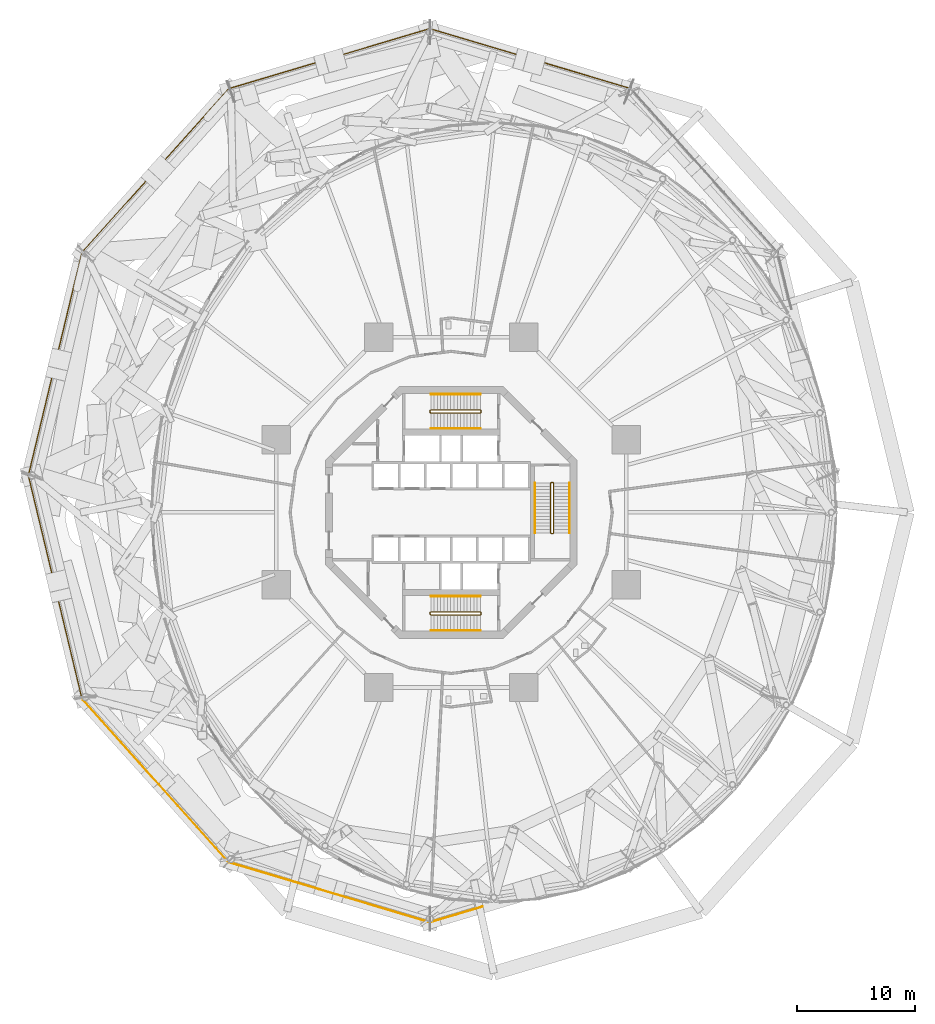
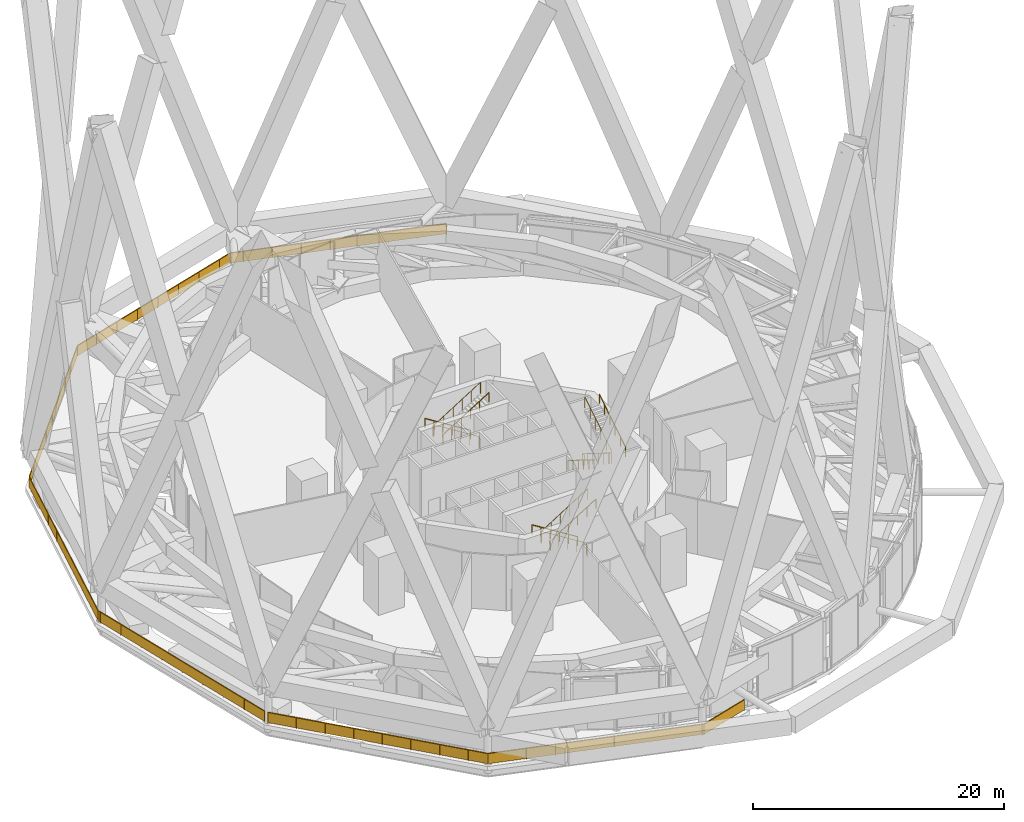
# One storey, part 49 of 51: 11 railings.
"""IFC4 building model written with IfcOpenShell, lengths in metres."""

from ifc_helpers import new_model, si_unit, direction, frame, origin, origin_2d, place, context, subcontext, project, spatial, polyline, rectangle, circle, outline, extrude, material, type_object, element, save


model = new_model("IFC4")

# Units and contexts
model_context = context("Model", 3, precision=1e-05, world=origin(), true_north=direction((0.0, 1.0)))
body_context = subcontext(model_context, "Body", "Model", "MODEL_VIEW")
ifc_project = project(units=[si_unit("LENGTHUNIT", "METRE"), si_unit("AREAUNIT", "SQUARE_METRE"), si_unit("VOLUMEUNIT", "CUBIC_METRE"), si_unit("PLANEANGLEUNIT", "RADIAN"), si_unit("MASSUNIT", "GRAM", prefix="KILO")], contexts=[model_context])

# Site, building, storey
site_placement = place(None, origin())
site = spatial("IfcSite", under=ifc_project, at=site_placement, CompositionType="ELEMENT")
building_placement = place(site_placement, origin())
building = spatial("IfcBuilding", under=site, at=building_placement, Name="Nagisa Residences", CompositionType="ELEMENT")
storey_placement = place(building_placement, frame((0.0, 0.0, 67.699951171875)))
storey = spatial("IfcBuildingStorey", under=building, at=storey_placement, Name="L16", CompositionType="ELEMENT", Elevation=67.699951171875)

# Railings
ifc_material_1 = material(Name="Stainless steel 316", Category="steel")
railing_type_1 = type_object("IfcRailingType", Name="ROOF GUARD 1100", PredefinedType="GUARDRAIL", material=ifc_material_1)
railing_1_placement = place(storey_placement, frame((-31.203125, -15.587890625, 0.0)))
element("IfcRailing", 1, at=railing_1_placement, inside=storey, type_object=railing_type_1, Name="guard:L16:deck00-0", PredefinedType="GUARDRAIL", context=body_context, shape_type="SweptSolid", body=[
    extrude(outline(polyline([(-4.526123046875, 18.70556640625), (-0.0244140625, -0.005859375), (0.0244140625, 0.005859375), (-4.474853515625, 18.70556640625), (0.05810546875, 37.545166015625), (12.452880859375, 51.349365234375), (29.403076171875, 56.407470703125), (46.3603515625, 51.347412109375), (46.37451171875, 51.395263671875), (29.403076171875, 56.459716796875), (12.425048828125, 51.393310546875), (0.01220703125, 37.569091796875), (-4.526123046875, 18.70556640625)])), frame((0.0, 0.0, 1.050048828125)), (0.0, 0.0, 1.0), 0.050048828125),
    extrude(outline(polyline([(-4.507568359375, 18.70556640625), (-0.0068359375, -0.001708984375), (0.0068359375, 0.001708984375), (-4.493408203125, 18.70556640625), (0.04150390625, 37.5537109375), (12.44287109375, 51.365234375), (29.403076171875, 56.42626953125), (46.365478515625, 51.36474609375), (46.369384765625, 51.3779296875), (29.403076171875, 56.44091796875), (12.43505859375, 51.37744140625), (0.02880859375, 37.560546875), (-4.507568359375, 18.70556640625)])), frame((0.0, 0.0, 0.06005859375)), (0.0, 0.0, 1.0), 0.989990234375),
    extrude(rectangle(XDim=0.0400390625, YDim=0.0400390625, at=origin_2d()), origin(), (0.0, 0.0, 1.0), 1.050048828125),
    extrude(rectangle(XDim=0.0400390625, YDim=0.0400390625, at=origin_2d()), frame((-0.555419921875, 2.30859375, 0.0)), (0.0, 0.0, 1.0), 1.050048828125),
    extrude(rectangle(XDim=0.0400390625, YDim=0.0400390625, at=origin_2d()), frame((-1.11083984375, 4.616943359375, 0.0)), (0.0, 0.0, 1.0), 1.050048828125),
    extrude(rectangle(XDim=0.0400390625, YDim=0.0400390625, at=origin_2d()), frame((-1.666259765625, 6.925537109375, 0.0)), (0.0, 0.0, 1.0), 1.050048828125),
    extrude(rectangle(XDim=0.0400390625, YDim=0.0400390625, at=origin_2d()), frame((-2.2216796875, 9.234130859375, 0.0)), (0.0, 0.0, 1.0), 1.050048828125),
    extrude(rectangle(XDim=0.0400390625, YDim=0.0400390625, at=origin_2d()), frame((-2.777099609375, 11.542724609375, 0.0)), (0.0, 0.0, 1.0), 1.050048828125),
    extrude(rectangle(XDim=0.0400390625, YDim=0.0400390625, at=origin_2d()), frame((-3.33251953125, 13.85107421875, 0.0)), (0.0, 0.0, 1.0), 1.050048828125),
    extrude(rectangle(XDim=0.0400390625, YDim=0.0400390625, at=origin_2d()), frame((-3.887939453125, 16.15966796875, 0.0)), (0.0, 0.0, 1.0), 1.050048828125),
    extrude(rectangle(XDim=0.0400390625, YDim=0.0400390625, at=origin_2d()), frame((-4.443359375, 18.46826171875, 0.0)), (0.0, 0.0, 1.0), 1.050048828125),
    extrude(rectangle(XDim=0.0400390625, YDim=0.0400390625, at=origin_2d()), frame((-4.002197265625, 20.776611328125, 0.0)), (0.0, 0.0, 1.0), 1.050048828125),
    extrude(rectangle(XDim=0.0400390625, YDim=0.0400390625, at=origin_2d()), frame((-3.44677734375, 23.085205078125, 0.0)), (0.0, 0.0, 1.0), 1.050048828125),
    extrude(rectangle(XDim=0.0400390625, YDim=0.0400390625, at=origin_2d()), frame((-2.891357421875, 25.393798828125, 0.0)), (0.0, 0.0, 1.0), 1.050048828125),
    extrude(rectangle(XDim=0.0400390625, YDim=0.0400390625, at=origin_2d()), frame((-2.3359375, 27.7021484375, 0.0)), (0.0, 0.0, 1.0), 1.050048828125),
    extrude(rectangle(XDim=0.0400390625, YDim=0.0400390625, at=origin_2d()), frame((-1.780517578125, 30.0107421875, 0.0)), (0.0, 0.0, 1.0), 1.050048828125),
    extrude(rectangle(XDim=0.0400390625, YDim=0.0400390625, at=origin_2d()), frame((-1.22509765625, 32.3193359375, 0.0)), (0.0, 0.0, 1.0), 1.050048828125),
    extrude(rectangle(XDim=0.0400390625, YDim=0.0400390625, at=origin_2d()), frame((-0.669677734375, 34.627685546875, 0.0)), (0.0, 0.0, 1.0), 1.050048828125),
    extrude(rectangle(XDim=0.0400390625, YDim=0.0400390625, at=origin_2d()), frame((-0.1142578125, 36.936279296875, 0.0)), (0.0, 0.0, 1.0), 1.050048828125),
    extrude(rectangle(XDim=0.0400390625, YDim=0.0400390625, at=origin_2d()), frame((1.19482421875, 38.8486328125, 0.0)), (0.0, 0.0, 1.0), 1.050048828125),
    extrude(rectangle(XDim=0.0400390625, YDim=0.0400390625, at=origin_2d()), frame((2.78125, 40.615478515625, 0.0)), (0.0, 0.0, 1.0), 1.050048828125),
    extrude(rectangle(XDim=0.0400390625, YDim=0.0400390625, at=origin_2d()), frame((4.36767578125, 42.382080078125, 0.0)), (0.0, 0.0, 1.0), 1.050048828125),
    extrude(rectangle(XDim=0.0400390625, YDim=0.0400390625, at=origin_2d()), frame((5.953857421875, 44.14892578125, 0.0)), (0.0, 0.0, 1.0), 1.050048828125),
    extrude(rectangle(XDim=0.0400390625, YDim=0.0400390625, at=origin_2d()), frame((7.540283203125, 45.91552734375, 0.0)), (0.0, 0.0, 1.0), 1.050048828125),
    extrude(rectangle(XDim=0.0400390625, YDim=0.0400390625, at=origin_2d()), frame((9.126708984375, 47.682373046875, 0.0)), (0.0, 0.0, 1.0), 1.050048828125),
    extrude(rectangle(XDim=0.0400390625, YDim=0.0400390625, at=origin_2d()), frame((10.712890625, 49.448974609375, 0.0)), (0.0, 0.0, 1.0), 1.050048828125),
    extrude(rectangle(XDim=0.0400390625, YDim=0.0400390625, at=origin_2d()), frame((12.29931640625, 51.2158203125, 0.0)), (0.0, 0.0, 1.0), 1.050048828125),
    extrude(rectangle(XDim=0.0400390625, YDim=0.0400390625, at=origin_2d()), frame((14.513916015625, 51.990478515625, 0.0)), (0.0, 0.0, 1.0), 1.050048828125),
    extrude(rectangle(XDim=0.0400390625, YDim=0.0400390625, at=origin_2d()), frame((16.7890625, 52.66943359375, 0.0)), (0.0, 0.0, 1.0), 1.050048828125),
    extrude(rectangle(XDim=0.0400390625, YDim=0.0400390625, at=origin_2d()), frame((19.064453125, 53.348388671875, 0.0)), (0.0, 0.0, 1.0), 1.050048828125),
    extrude(rectangle(XDim=0.0400390625, YDim=0.0400390625, at=origin_2d()), frame((21.339599609375, 54.02734375, 0.0)), (0.0, 0.0, 1.0), 1.050048828125),
    extrude(rectangle(XDim=0.0400390625, YDim=0.0400390625, at=origin_2d()), frame((23.614990234375, 54.706298828125, 0.0)), (0.0, 0.0, 1.0), 1.050048828125),
    extrude(rectangle(XDim=0.0400390625, YDim=0.0400390625, at=origin_2d()), frame((25.89013671875, 55.38525390625, 0.0)), (0.0, 0.0, 1.0), 1.050048828125),
    extrude(rectangle(XDim=0.0400390625, YDim=0.0400390625, at=origin_2d()), frame((28.165283203125, 56.064208984375, 0.0)), (0.0, 0.0, 1.0), 1.050048828125),
    extrude(rectangle(XDim=0.0400390625, YDim=0.0400390625, at=origin_2d()), frame((30.440673828125, 56.1240234375, 0.0)), (0.0, 0.0, 1.0), 1.050048828125),
    extrude(rectangle(XDim=0.0400390625, YDim=0.0400390625, at=origin_2d()), frame((32.7158203125, 55.445068359375, 0.0)), (0.0, 0.0, 1.0), 1.050048828125),
    extrude(rectangle(XDim=0.0400390625, YDim=0.0400390625, at=origin_2d()), frame((34.9912109375, 54.76611328125, 0.0)), (0.0, 0.0, 1.0), 1.050048828125),
    extrude(rectangle(XDim=0.0400390625, YDim=0.0400390625, at=origin_2d()), frame((37.266357421875, 54.087158203125, 0.0)), (0.0, 0.0, 1.0), 1.050048828125),
    extrude(rectangle(XDim=0.0400390625, YDim=0.0400390625, at=origin_2d()), frame((39.541748046875, 53.408203125, 0.0)), (0.0, 0.0, 1.0), 1.050048828125),
    extrude(rectangle(XDim=0.0400390625, YDim=0.0400390625, at=origin_2d()), frame((41.81689453125, 52.729248046875, 0.0)), (0.0, 0.0, 1.0), 1.050048828125),
    extrude(rectangle(XDim=0.0400390625, YDim=0.0400390625, at=origin_2d()), frame((44.09228515625, 52.05029296875, 0.0)), (0.0, 0.0, 1.0), 1.050048828125),
    extrude(rectangle(XDim=0.0400390625, YDim=0.0400390625, at=origin_2d()), frame((46.367431640625, 51.371337890625, 0.0)), (0.0, 0.0, 1.0), 1.050048828125),
])
railing_2_placement = place(storey_placement, frame((2.64697265625, -33.283447265625, 0.0)))
element("IfcRailing", 2, at=railing_2_placement, inside=storey, type_object=railing_type_1, Name="guard:L16:deck01-0", PredefinedType="GUARDRAIL", context=body_context, shape_type="SweptSolid", body=[
    extrude(outline(polyline([(-4.447021484375, -1.35302734375), (0.007080078125, -0.02392578125), (-0.007080078125, 0.02392578125), (-4.447021484375, -1.30078125), (-21.397216796875, 3.757568359375), (-33.6962890625, 17.45458984375), (-33.7333984375, 17.42138671875), (-21.425048828125, 3.713623046875), (-4.447021484375, -1.35302734375)])), frame((0.0, 0.0, 1.050048828125)), (0.0, 0.0, 1.0), 0.050048828125),
    extrude(outline(polyline([(-4.447021484375, -1.334228515625), (0.001953125, -0.006591796875), (-0.001953125, 0.006591796875), (-4.447021484375, -1.319580078125), (-21.4072265625, 3.74169921875), (-33.709716796875, 17.442626953125), (-33.719970703125, 17.433349609375), (-21.4150390625, 3.7294921875), (-4.447021484375, -1.334228515625)])), frame((0.0, 0.0, 0.06005859375)), (0.0, 0.0, 1.0), 0.989990234375),
    extrude(rectangle(XDim=0.0400390625, YDim=0.0400390625, at=origin_2d()), origin(), (0.0, 0.0, 1.0), 1.050048828125),
    extrude(rectangle(XDim=0.0400390625, YDim=0.0400390625, at=origin_2d()), frame((-2.297607421875, -0.685546875, 0.0)), (0.0, 0.0, 1.0), 1.050048828125),
    extrude(rectangle(XDim=0.0400390625, YDim=0.0400390625, at=origin_2d()), frame((-4.594970703125, -1.28271484375, 0.0)), (0.0, 0.0, 1.0), 1.050048828125),
    extrude(rectangle(XDim=0.0400390625, YDim=0.0400390625, at=origin_2d()), frame((-6.892578125, -0.59716796875, 0.0)), (0.0, 0.0, 1.0), 1.050048828125),
    extrude(rectangle(XDim=0.0400390625, YDim=0.0400390625, at=origin_2d()), frame((-9.190185546875, 0.088623046875, 0.0)), (0.0, 0.0, 1.0), 1.050048828125),
    extrude(rectangle(XDim=0.0400390625, YDim=0.0400390625, at=origin_2d()), frame((-11.487548828125, 0.774169921875, 0.0)), (0.0, 0.0, 1.0), 1.050048828125),
    extrude(rectangle(XDim=0.0400390625, YDim=0.0400390625, at=origin_2d()), frame((-13.78515625, 1.459716796875, 0.0)), (0.0, 0.0, 1.0), 1.050048828125),
    extrude(rectangle(XDim=0.0400390625, YDim=0.0400390625, at=origin_2d()), frame((-16.082763671875, 2.1455078125, 0.0)), (0.0, 0.0, 1.0), 1.050048828125),
    extrude(rectangle(XDim=0.0400390625, YDim=0.0400390625, at=origin_2d()), frame((-18.380126953125, 2.8310546875, 0.0)), (0.0, 0.0, 1.0), 1.050048828125),
    extrude(rectangle(XDim=0.0400390625, YDim=0.0400390625, at=origin_2d()), frame((-20.677734375, 3.5166015625, 0.0)), (0.0, 0.0, 1.0), 1.050048828125),
    extrude(rectangle(XDim=0.0400390625, YDim=0.0400390625, at=origin_2d()), frame((-22.501708984375, 4.949951171875, 0.0)), (0.0, 0.0, 1.0), 1.050048828125),
    extrude(rectangle(XDim=0.0400390625, YDim=0.0400390625, at=origin_2d()), frame((-24.103515625, 6.734130859375, 0.0)), (0.0, 0.0, 1.0), 1.050048828125),
    extrude(rectangle(XDim=0.0400390625, YDim=0.0400390625, at=origin_2d()), frame((-25.705322265625, 8.51806640625, 0.0)), (0.0, 0.0, 1.0), 1.050048828125),
    extrude(rectangle(XDim=0.0400390625, YDim=0.0400390625, at=origin_2d()), frame((-27.307373046875, 10.302001953125, 0.0)), (0.0, 0.0, 1.0), 1.050048828125),
    extrude(rectangle(XDim=0.0400390625, YDim=0.0400390625, at=origin_2d()), frame((-28.9091796875, 12.0859375, 0.0)), (0.0, 0.0, 1.0), 1.050048828125),
    extrude(rectangle(XDim=0.0400390625, YDim=0.0400390625, at=origin_2d()), frame((-30.510986328125, 13.8701171875, 0.0)), (0.0, 0.0, 1.0), 1.050048828125),
    extrude(rectangle(XDim=0.0400390625, YDim=0.0400390625, at=origin_2d()), frame((-32.113037109375, 15.654052734375, 0.0)), (0.0, 0.0, 1.0), 1.050048828125),
    extrude(rectangle(XDim=0.0400390625, YDim=0.0400390625, at=origin_2d()), frame((-33.71484375, 17.43798828125, 0.0)), (0.0, 0.0, 1.0), 1.050048828125),
])
ifc_material_2 = material(Name="Stainless steel", Category="steel")
railing_type_2 = type_object("IfcRailingType", Name="Stair guard 1100", PredefinedType="GUARDRAIL", material=ifc_material_2)
railing_3_placement = place(storey_placement, frame((8.599609375, 2.52490234375, 0.0)))
element("IfcRailing", 3, at=railing_3_placement, inside=storey, type_object=railing_type_2, Name="L16 ST-E stair guard 1", PredefinedType="GUARDRAIL", context=body_context, shape_type="SweptSolid", body=[
    extrude(circle(Radius=0.02392578125, at=origin_2d()), frame((0.0, 0.0, 1.076171875), z_axis=(-1.0, 0.0, 0.0), x_axis=(0.0, -1.0, 0.0)), (0.0, 0.0, 1.0), 0.14990234375),
    extrude(circle(Radius=0.02392578125, at=origin_2d()), frame((-0.14990234375, 0.0, 1.076171875), z_axis=(-0.265155923931, -0.263862480399, 0.927399011991), x_axis=(0.705375805398, -0.708833529934, 0.0)), (0.0, 0.0, 1.0), 0.188720703125),
    extrude(circle(Radius=0.02392578125, at=origin_2d()), frame((-0.199951171875, -0.0498046875, 1.2509765625), z_axis=(0.0, -0.848009380541, 0.529981217134), x_axis=(1.0, 0.0, 0.0)), (0.0, 0.0, 1.0), 4.953125),
    extrude(circle(Radius=0.02392578125, at=origin_2d()), frame((-0.199951171875, -4.25, 3.8759765625), z_axis=(0.708833529934, -0.705375805398, 0.0), x_axis=(0.705375805398, 0.708833529934, 0.0)), (0.0, 0.0, 1.0), 0.070556640625),
    extrude(circle(Radius=0.02392578125, at=origin_2d()), frame((-0.14990234375, -4.2998046875, 3.8759765625), z_axis=(1.0, 0.0, 0.0), x_axis=(0.0, 1.0, 0.0)), (0.0, 0.0, 1.0), 0.14990234375),
    extrude(circle(Radius=0.02392578125, at=origin_2d()), frame((0.0, -4.2998046875, 3.8759765625), z_axis=(0.265155923931, 0.263862480399, 0.927399011991), x_axis=(-0.705375805398, 0.708833529934, 0.0)), (0.0, 0.0, 1.0), 0.188720703125),
    extrude(circle(Radius=0.02392578125, at=origin_2d()), frame((0.050048828125, -4.25, 4.05126953125), z_axis=(0.0, 0.848009380541, 0.529981217134), x_axis=(-1.0, 0.0, 0.0)), (0.0, 0.0, 1.0), 4.953125),
    extrude(circle(Radius=0.02099609375, at=origin_2d()), origin(), (0.0, 0.0, 1.0), 1.052001953125),
    extrude(circle(Radius=0.02099609375, at=origin_2d()), frame((-0.14990234375, 0.0, 0.0)), (0.0, 0.0, 1.0), 1.052001953125),
    extrude(circle(Radius=0.02099609375, at=origin_2d()), frame((-0.199951171875, -0.0498046875, 0.175048828125)), (0.0, 0.0, 1.0), 1.052001953125),
    extrude(circle(Radius=0.02099609375, at=origin_2d()), frame((-0.199951171875, -0.889892578125, 0.699951171875)), (0.0, 0.0, 1.0), 1.052001953125),
    extrude(circle(Radius=0.02099609375, at=origin_2d()), frame((-0.199951171875, -1.72998046875, 1.22509765625)), (0.0, 0.0, 1.0), 1.052001953125),
    extrude(circle(Radius=0.02099609375, at=origin_2d()), frame((-0.199951171875, -2.56982421875, 1.75)), (0.0, 0.0, 1.0), 1.052001953125),
    extrude(circle(Radius=0.02099609375, at=origin_2d()), frame((-0.199951171875, -3.409912109375, 2.275146484375)), (0.0, 0.0, 1.0), 1.052001953125),
    extrude(circle(Radius=0.02099609375, at=origin_2d()), frame((-0.199951171875, -4.25, 2.800048828125)), (0.0, 0.0, 1.0), 1.052001953125),
    extrude(circle(Radius=0.02099609375, at=origin_2d()), frame((-0.14990234375, -4.2998046875, 2.800048828125)), (0.0, 0.0, 1.0), 1.052001953125),
    extrude(circle(Radius=0.02099609375, at=origin_2d()), frame((0.0, -4.2998046875, 2.800048828125)), (0.0, 0.0, 1.0), 1.052001953125),
    extrude(circle(Radius=0.02099609375, at=origin_2d()), frame((0.050048828125, -4.25, 2.97509765625)), (0.0, 0.0, 1.0), 1.052001953125),
    extrude(circle(Radius=0.02099609375, at=origin_2d()), frame((0.050048828125, -3.409912109375, 3.5)), (0.0, 0.0, 1.0), 1.052001953125),
    extrude(circle(Radius=0.02099609375, at=origin_2d()), frame((0.050048828125, -2.56982421875, 4.025146484375)), (0.0, 0.0, 1.0), 1.052001953125),
    extrude(circle(Radius=0.02099609375, at=origin_2d()), frame((0.050048828125, -1.72998046875, 4.550048828125)), (0.0, 0.0, 1.0), 1.052001953125),
    extrude(circle(Radius=0.02099609375, at=origin_2d()), frame((0.050048828125, -0.889892578125, 5.0751953125)), (0.0, 0.0, 1.0), 1.052001953125),
    extrude(circle(Radius=0.02099609375, at=origin_2d()), frame((0.050048828125, -0.0498046875, 5.60009765625)), (0.0, 0.0, 1.0), 1.052001953125),
])
railing_4_placement = place(storey_placement, frame((2.52490234375, 8.44970703125, 0.0)))
element("IfcRailing", 4, at=railing_4_placement, inside=storey, type_object=railing_type_2, Name="L16 ST-N stair guard 1", PredefinedType="GUARDRAIL", context=body_context, shape_type="SweptSolid", body=[
    extrude(circle(Radius=0.02392578125, at=origin_2d()), frame((0.0, 0.0, 1.076171875), z_axis=(0.0, 1.0, 0.0), x_axis=(-1.0, 0.0, 0.0)), (0.0, 0.0, 1.0), 0.14990234375),
    extrude(circle(Radius=0.02392578125, at=origin_2d()), frame((0.0, 0.14990234375, 1.076171875), z_axis=(-0.263862480399, 0.265155923931, 0.927399011991), x_axis=(-0.708833529934, -0.705375805398, 0.0)), (0.0, 0.0, 1.0), 0.188720703125),
    extrude(circle(Radius=0.02392578125, at=origin_2d()), frame((-0.0498046875, 0.199951171875, 1.2509765625), z_axis=(-0.848009380541, 0.0, 0.529981217134), x_axis=(0.0, -1.0, 0.0)), (0.0, 0.0, 1.0), 4.953125),
    extrude(circle(Radius=0.02392578125, at=origin_2d()), frame((-4.25, 0.199951171875, 3.8759765625), z_axis=(-0.705375805398, -0.708833529934, 0.0), x_axis=(0.708833529934, -0.705375805398, 0.0)), (0.0, 0.0, 1.0), 0.070556640625),
    extrude(circle(Radius=0.02392578125, at=origin_2d()), frame((-4.2998046875, 0.14990234375, 3.8759765625), z_axis=(0.0, -1.0, 0.0), x_axis=(1.0, 0.0, 0.0)), (0.0, 0.0, 1.0), 0.14990234375),
    extrude(circle(Radius=0.02392578125, at=origin_2d()), frame((-4.2998046875, 0.0, 3.8759765625), z_axis=(0.263862480399, -0.265155923931, 0.927399011991), x_axis=(0.708833529934, 0.705375805398, 0.0)), (0.0, 0.0, 1.0), 0.188720703125),
    extrude(circle(Radius=0.02392578125, at=origin_2d()), frame((-4.25, -0.050048828125, 4.05126953125), z_axis=(0.848009380541, 0.0, 0.529981217134), x_axis=(0.0, 1.0, 0.0)), (0.0, 0.0, 1.0), 4.953125),
    extrude(circle(Radius=0.02099609375, at=origin_2d()), origin(), (0.0, 0.0, 1.0), 1.052001953125),
    extrude(circle(Radius=0.02099609375, at=origin_2d()), frame((0.0, 0.14990234375, 0.0)), (0.0, 0.0, 1.0), 1.052001953125),
    extrude(circle(Radius=0.02099609375, at=origin_2d()), frame((-0.0498046875, 0.199951171875, 0.175048828125)), (0.0, 0.0, 1.0), 1.052001953125),
    extrude(circle(Radius=0.02099609375, at=origin_2d()), frame((-0.889892578125, 0.199951171875, 0.699951171875)), (0.0, 0.0, 1.0), 1.052001953125),
    extrude(circle(Radius=0.02099609375, at=origin_2d()), frame((-1.72998046875, 0.199951171875, 1.22509765625)), (0.0, 0.0, 1.0), 1.052001953125),
    extrude(circle(Radius=0.02099609375, at=origin_2d()), frame((-2.56982421875, 0.199951171875, 1.75)), (0.0, 0.0, 1.0), 1.052001953125),
    extrude(circle(Radius=0.02099609375, at=origin_2d()), frame((-3.409912109375, 0.199951171875, 2.275146484375)), (0.0, 0.0, 1.0), 1.052001953125),
    extrude(circle(Radius=0.02099609375, at=origin_2d()), frame((-4.25, 0.199951171875, 2.800048828125)), (0.0, 0.0, 1.0), 1.052001953125),
    extrude(circle(Radius=0.02099609375, at=origin_2d()), frame((-4.2998046875, 0.14990234375, 2.800048828125)), (0.0, 0.0, 1.0), 1.052001953125),
    extrude(circle(Radius=0.02099609375, at=origin_2d()), frame((-4.2998046875, 0.0, 2.800048828125)), (0.0, 0.0, 1.0), 1.052001953125),
    extrude(circle(Radius=0.02099609375, at=origin_2d()), frame((-4.25, -0.050048828125, 2.97509765625)), (0.0, 0.0, 1.0), 1.052001953125),
    extrude(circle(Radius=0.02099609375, at=origin_2d()), frame((-3.409912109375, -0.050048828125, 3.5)), (0.0, 0.0, 1.0), 1.052001953125),
    extrude(circle(Radius=0.02099609375, at=origin_2d()), frame((-2.56982421875, -0.050048828125, 4.025146484375)), (0.0, 0.0, 1.0), 1.052001953125),
    extrude(circle(Radius=0.02099609375, at=origin_2d()), frame((-1.72998046875, -0.050048828125, 4.550048828125)), (0.0, 0.0, 1.0), 1.052001953125),
    extrude(circle(Radius=0.02099609375, at=origin_2d()), frame((-0.889892578125, -0.050048828125, 5.0751953125)), (0.0, 0.0, 1.0), 1.052001953125),
    extrude(circle(Radius=0.02099609375, at=origin_2d()), frame((-0.0498046875, -0.050048828125, 5.60009765625)), (0.0, 0.0, 1.0), 1.052001953125),
])
railing_5_placement = place(storey_placement, frame((2.52490234375, -8.599609375, 0.0)))
element("IfcRailing", 5, at=railing_5_placement, inside=storey, type_object=railing_type_2, Name="L16 ST-S stair guard 1", PredefinedType="GUARDRAIL", context=body_context, shape_type="SweptSolid", body=[
    extrude(circle(Radius=0.02392578125, at=origin_2d()), frame((0.0, 0.0, 1.076171875), z_axis=(0.0, 1.0, 0.0), x_axis=(-1.0, 0.0, 0.0)), (0.0, 0.0, 1.0), 0.14990234375),
    extrude(circle(Radius=0.02392578125, at=origin_2d()), frame((0.0, 0.14990234375, 1.076171875), z_axis=(-0.263862480399, 0.265155923931, 0.927399011991), x_axis=(-0.708833529934, -0.705375805398, 0.0)), (0.0, 0.0, 1.0), 0.188720703125),
    extrude(circle(Radius=0.02392578125, at=origin_2d()), frame((-0.0498046875, 0.199951171875, 1.2509765625), z_axis=(-0.848009380541, 0.0, 0.529981217134), x_axis=(0.0, -1.0, 0.0)), (0.0, 0.0, 1.0), 4.953125),
    extrude(circle(Radius=0.02392578125, at=origin_2d()), frame((-4.25, 0.199951171875, 3.8759765625), z_axis=(-0.705375805398, -0.708833529934, 0.0), x_axis=(0.708833529934, -0.705375805398, 0.0)), (0.0, 0.0, 1.0), 0.070556640625),
    extrude(circle(Radius=0.02392578125, at=origin_2d()), frame((-4.2998046875, 0.14990234375, 3.8759765625), z_axis=(0.0, -1.0, 0.0), x_axis=(1.0, 0.0, 0.0)), (0.0, 0.0, 1.0), 0.14990234375),
    extrude(circle(Radius=0.02392578125, at=origin_2d()), frame((-4.2998046875, 0.0, 3.8759765625), z_axis=(0.263862480399, -0.265155923931, 0.927399011991), x_axis=(0.708833529934, 0.705375805398, 0.0)), (0.0, 0.0, 1.0), 0.188720703125),
    extrude(circle(Radius=0.02392578125, at=origin_2d()), frame((-4.25, -0.050048828125, 4.05126953125), z_axis=(0.848009380541, 0.0, 0.529981217134), x_axis=(0.0, 1.0, 0.0)), (0.0, 0.0, 1.0), 4.953125),
    extrude(circle(Radius=0.02099609375, at=origin_2d()), origin(), (0.0, 0.0, 1.0), 1.052001953125),
    extrude(circle(Radius=0.02099609375, at=origin_2d()), frame((0.0, 0.14990234375, 0.0)), (0.0, 0.0, 1.0), 1.052001953125),
    extrude(circle(Radius=0.02099609375, at=origin_2d()), frame((-0.0498046875, 0.199951171875, 0.175048828125)), (0.0, 0.0, 1.0), 1.052001953125),
    extrude(circle(Radius=0.02099609375, at=origin_2d()), frame((-0.889892578125, 0.199951171875, 0.699951171875)), (0.0, 0.0, 1.0), 1.052001953125),
    extrude(circle(Radius=0.02099609375, at=origin_2d()), frame((-1.72998046875, 0.199951171875, 1.22509765625)), (0.0, 0.0, 1.0), 1.052001953125),
    extrude(circle(Radius=0.02099609375, at=origin_2d()), frame((-2.56982421875, 0.199951171875, 1.75)), (0.0, 0.0, 1.0), 1.052001953125),
    extrude(circle(Radius=0.02099609375, at=origin_2d()), frame((-3.409912109375, 0.199951171875, 2.275146484375)), (0.0, 0.0, 1.0), 1.052001953125),
    extrude(circle(Radius=0.02099609375, at=origin_2d()), frame((-4.25, 0.199951171875, 2.800048828125)), (0.0, 0.0, 1.0), 1.052001953125),
    extrude(circle(Radius=0.02099609375, at=origin_2d()), frame((-4.2998046875, 0.14990234375, 2.800048828125)), (0.0, 0.0, 1.0), 1.052001953125),
    extrude(circle(Radius=0.02099609375, at=origin_2d()), frame((-4.2998046875, 0.0, 2.800048828125)), (0.0, 0.0, 1.0), 1.052001953125),
    extrude(circle(Radius=0.02099609375, at=origin_2d()), frame((-4.25, -0.050048828125, 2.97509765625)), (0.0, 0.0, 1.0), 1.052001953125),
    extrude(circle(Radius=0.02099609375, at=origin_2d()), frame((-3.409912109375, -0.050048828125, 3.5)), (0.0, 0.0, 1.0), 1.052001953125),
    extrude(circle(Radius=0.02099609375, at=origin_2d()), frame((-2.56982421875, -0.050048828125, 4.025146484375)), (0.0, 0.0, 1.0), 1.052001953125),
    extrude(circle(Radius=0.02099609375, at=origin_2d()), frame((-1.72998046875, -0.050048828125, 4.550048828125)), (0.0, 0.0, 1.0), 1.052001953125),
    extrude(circle(Radius=0.02099609375, at=origin_2d()), frame((-0.889892578125, -0.050048828125, 5.0751953125)), (0.0, 0.0, 1.0), 1.052001953125),
    extrude(circle(Radius=0.02099609375, at=origin_2d()), frame((-0.0498046875, -0.050048828125, 5.60009765625)), (0.0, 0.0, 1.0), 1.052001953125),
])
ifc_material_3 = material(Name="Stainless steel", Category="steel")
railing_type_3 = type_object("IfcRailingType", Name="Stair handrail 900", PredefinedType="HANDRAIL", material=ifc_material_3)
railing_6_placement = place(storey_placement, frame((7.07470703125, 2.47509765625, 0.175048828125)))
element("IfcRailing", 6, at=railing_6_placement, inside=storey, type_object=railing_type_3, Name="L16 ST-E stair handrail 1", PredefinedType="HANDRAIL", context=body_context, shape_type="SweptSolid", body=[
    extrude(circle(Radius=0.02392578125, at=origin_2d()), frame((0.0, 0.0, 0.8759765625), z_axis=(0.0, -0.848009380541, 0.529981217134), x_axis=(1.0, 0.0, 0.0)), (0.0, 0.0, 1.0), 4.953125),
    extrude(circle(Radius=0.02099609375, at=origin_2d()), origin(), (0.0, 0.0, 1.0), 0.851806640625),
    extrude(circle(Radius=0.02099609375, at=origin_2d()), frame((0.0, -0.840087890625, 0.52490234375)), (0.0, 0.0, 1.0), 0.851806640625),
    extrude(circle(Radius=0.02099609375, at=origin_2d()), frame((0.0, -1.68017578125, 1.050048828125)), (0.0, 0.0, 1.0), 0.851806640625),
    extrude(circle(Radius=0.02099609375, at=origin_2d()), frame((0.0, -2.52001953125, 1.574951171875)), (0.0, 0.0, 1.0), 0.851806640625),
    extrude(circle(Radius=0.02099609375, at=origin_2d()), frame((0.0, -3.360107421875, 2.10009765625)), (0.0, 0.0, 1.0), 0.851806640625),
    extrude(circle(Radius=0.02099609375, at=origin_2d()), frame((0.0, -4.2001953125, 2.625)), (0.0, 0.0, 1.0), 0.851806640625),
])
railing_7_placement = place(storey_placement, frame((9.974609375, -1.72509765625, 2.97509765625)))
element("IfcRailing", 7, at=railing_7_placement, inside=storey, type_object=railing_type_3, Name="L16 ST-E stair handrail 2", PredefinedType="HANDRAIL", context=body_context, shape_type="SweptSolid", body=[
    extrude(circle(Radius=0.02392578125, at=origin_2d()), frame((0.0, 0.0, 0.8759765625), z_axis=(0.0, 0.848009380541, 0.529981217134), x_axis=(-1.0, 0.0, 0.0)), (0.0, 0.0, 1.0), 4.953125),
    extrude(circle(Radius=0.02099609375, at=origin_2d()), origin(), (0.0, 0.0, 1.0), 0.851806640625),
    extrude(circle(Radius=0.02099609375, at=origin_2d()), frame((0.0, 0.840087890625, 0.52490234375)), (0.0, 0.0, 1.0), 0.851806640625),
    extrude(circle(Radius=0.02099609375, at=origin_2d()), frame((0.0, 1.68017578125, 1.050048828125)), (0.0, 0.0, 1.0), 0.851806640625),
    extrude(circle(Radius=0.02099609375, at=origin_2d()), frame((0.0, 2.52001953125, 1.574951171875)), (0.0, 0.0, 1.0), 0.851806640625),
    extrude(circle(Radius=0.02099609375, at=origin_2d()), frame((0.0, 3.360107421875, 2.10009765625)), (0.0, 0.0, 1.0), 0.851806640625),
    extrude(circle(Radius=0.02099609375, at=origin_2d()), frame((0.0, 4.2001953125, 2.625)), (0.0, 0.0, 1.0), 0.851806640625),
])
railing_8_placement = place(storey_placement, frame((2.47509765625, 9.974609375, 0.175048828125)))
element("IfcRailing", 8, at=railing_8_placement, inside=storey, type_object=railing_type_3, Name="L16 ST-N stair handrail 1", PredefinedType="HANDRAIL", context=body_context, shape_type="SweptSolid", body=[
    extrude(circle(Radius=0.02392578125, at=origin_2d()), frame((0.0, 0.0, 0.8759765625), z_axis=(-0.848009380541, 0.0, 0.529981217134), x_axis=(0.0, -1.0, 0.0)), (0.0, 0.0, 1.0), 4.953125),
    extrude(circle(Radius=0.02099609375, at=origin_2d()), origin(), (0.0, 0.0, 1.0), 0.851806640625),
    extrude(circle(Radius=0.02099609375, at=origin_2d()), frame((-0.840087890625, 0.0, 0.52490234375)), (0.0, 0.0, 1.0), 0.851806640625),
    extrude(circle(Radius=0.02099609375, at=origin_2d()), frame((-1.68017578125, 0.0, 1.050048828125)), (0.0, 0.0, 1.0), 0.851806640625),
    extrude(circle(Radius=0.02099609375, at=origin_2d()), frame((-2.52001953125, 0.0, 1.574951171875)), (0.0, 0.0, 1.0), 0.851806640625),
    extrude(circle(Radius=0.02099609375, at=origin_2d()), frame((-3.360107421875, 0.0, 2.10009765625)), (0.0, 0.0, 1.0), 0.851806640625),
    extrude(circle(Radius=0.02099609375, at=origin_2d()), frame((-4.2001953125, 0.0, 2.625)), (0.0, 0.0, 1.0), 0.851806640625),
])
railing_9_placement = place(storey_placement, frame((-1.72509765625, 7.07470703125, 2.97509765625)))
element("IfcRailing", 9, at=railing_9_placement, inside=storey, type_object=railing_type_3, Name="L16 ST-N stair handrail 2", PredefinedType="HANDRAIL", context=body_context, shape_type="SweptSolid", body=[
    extrude(circle(Radius=0.02392578125, at=origin_2d()), frame((0.0, 0.0, 0.8759765625), z_axis=(0.848009380541, 0.0, 0.529981217134), x_axis=(0.0, 1.0, 0.0)), (0.0, 0.0, 1.0), 4.953125),
    extrude(circle(Radius=0.02099609375, at=origin_2d()), origin(), (0.0, 0.0, 1.0), 0.851806640625),
    extrude(circle(Radius=0.02099609375, at=origin_2d()), frame((0.840087890625, 0.0, 0.52490234375)), (0.0, 0.0, 1.0), 0.851806640625),
    extrude(circle(Radius=0.02099609375, at=origin_2d()), frame((1.68017578125, 0.0, 1.050048828125)), (0.0, 0.0, 1.0), 0.851806640625),
    extrude(circle(Radius=0.02099609375, at=origin_2d()), frame((2.52001953125, 0.0, 1.574951171875)), (0.0, 0.0, 1.0), 0.851806640625),
    extrude(circle(Radius=0.02099609375, at=origin_2d()), frame((3.360107421875, 0.0, 2.10009765625)), (0.0, 0.0, 1.0), 0.851806640625),
    extrude(circle(Radius=0.02099609375, at=origin_2d()), frame((4.2001953125, 0.0, 2.625)), (0.0, 0.0, 1.0), 0.851806640625),
])
railing_10_placement = place(storey_placement, frame((2.47509765625, -7.07470703125, 0.175048828125)))
element("IfcRailing", 10, at=railing_10_placement, inside=storey, type_object=railing_type_3, Name="L16 ST-S stair handrail 1", PredefinedType="HANDRAIL", context=body_context, shape_type="SweptSolid", body=[
    extrude(circle(Radius=0.02392578125, at=origin_2d()), frame((0.0, 0.0, 0.8759765625), z_axis=(-0.848009380541, 0.0, 0.529981217134), x_axis=(0.0, -1.0, 0.0)), (0.0, 0.0, 1.0), 4.953125),
    extrude(circle(Radius=0.02099609375, at=origin_2d()), origin(), (0.0, 0.0, 1.0), 0.851806640625),
    extrude(circle(Radius=0.02099609375, at=origin_2d()), frame((-0.840087890625, 0.0, 0.52490234375)), (0.0, 0.0, 1.0), 0.851806640625),
    extrude(circle(Radius=0.02099609375, at=origin_2d()), frame((-1.68017578125, 0.0, 1.050048828125)), (0.0, 0.0, 1.0), 0.851806640625),
    extrude(circle(Radius=0.02099609375, at=origin_2d()), frame((-2.52001953125, 0.0, 1.574951171875)), (0.0, 0.0, 1.0), 0.851806640625),
    extrude(circle(Radius=0.02099609375, at=origin_2d()), frame((-3.360107421875, 0.0, 2.10009765625)), (0.0, 0.0, 1.0), 0.851806640625),
    extrude(circle(Radius=0.02099609375, at=origin_2d()), frame((-4.2001953125, 0.0, 2.625)), (0.0, 0.0, 1.0), 0.851806640625),
])
railing_11_placement = place(storey_placement, frame((-1.72509765625, -9.974609375, 2.97509765625)))
element("IfcRailing", 11, at=railing_11_placement, inside=storey, type_object=railing_type_3, Name="L16 ST-S stair handrail 2", PredefinedType="HANDRAIL", context=body_context, shape_type="SweptSolid", body=[
    extrude(circle(Radius=0.02392578125, at=origin_2d()), frame((0.0, 0.0, 0.8759765625), z_axis=(0.848009380541, 0.0, 0.529981217134), x_axis=(0.0, 1.0, 0.0)), (0.0, 0.0, 1.0), 4.953125),
    extrude(circle(Radius=0.02099609375, at=origin_2d()), origin(), (0.0, 0.0, 1.0), 0.851806640625),
    extrude(circle(Radius=0.02099609375, at=origin_2d()), frame((0.840087890625, 0.0, 0.52490234375)), (0.0, 0.0, 1.0), 0.851806640625),
    extrude(circle(Radius=0.02099609375, at=origin_2d()), frame((1.68017578125, 0.0, 1.050048828125)), (0.0, 0.0, 1.0), 0.851806640625),
    extrude(circle(Radius=0.02099609375, at=origin_2d()), frame((2.52001953125, 0.0, 1.574951171875)), (0.0, 0.0, 1.0), 0.851806640625),
    extrude(circle(Radius=0.02099609375, at=origin_2d()), frame((3.360107421875, 0.0, 2.10009765625)), (0.0, 0.0, 1.0), 0.851806640625),
    extrude(circle(Radius=0.02099609375, at=origin_2d()), frame((4.2001953125, 0.0, 2.625)), (0.0, 0.0, 1.0), 0.851806640625),
])

save(model, "model.ifc")
